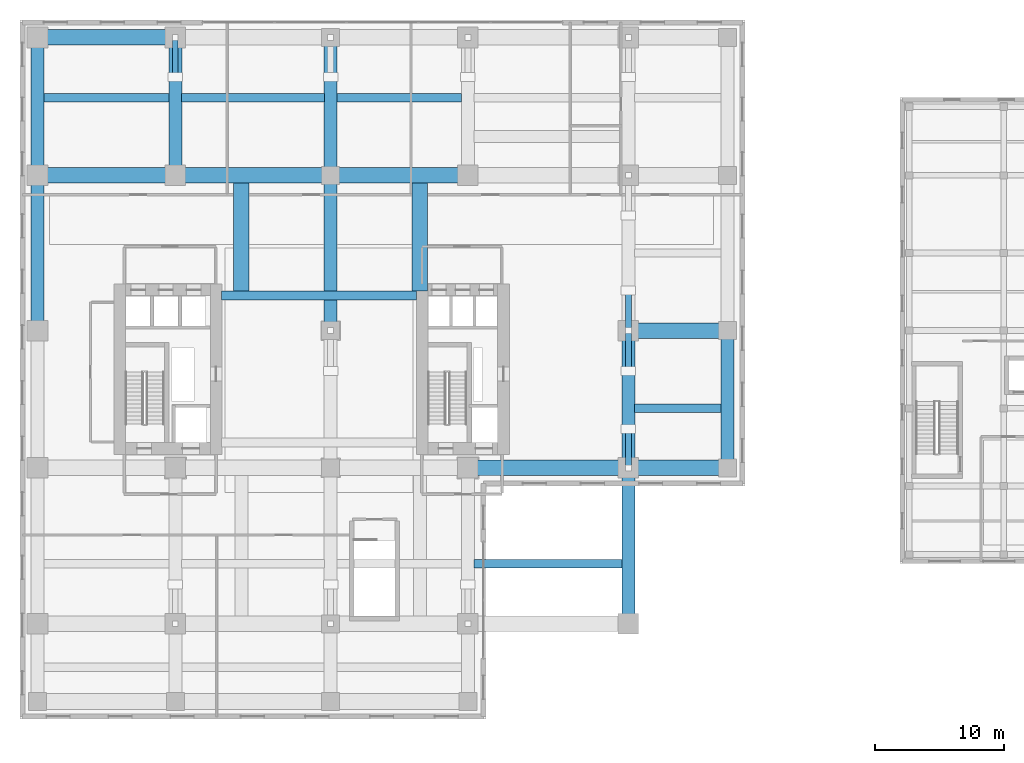
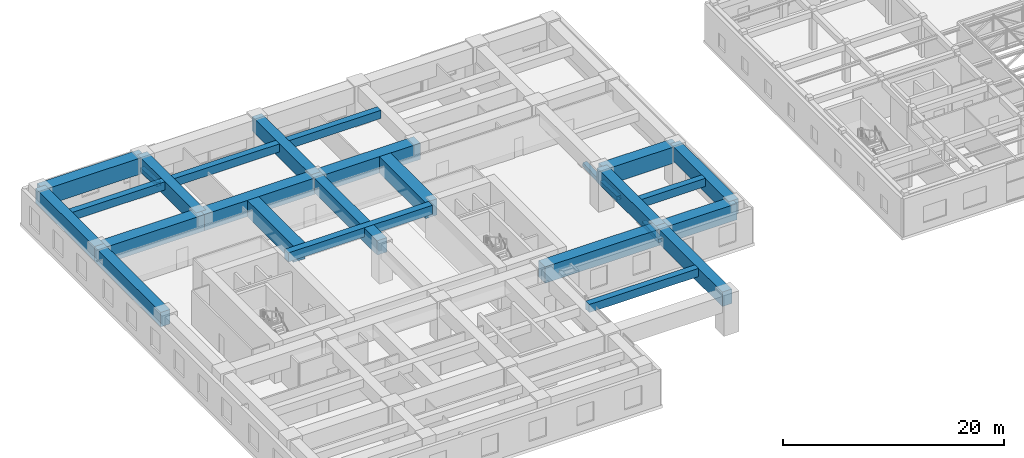
# One storey, part 4 of 33: 23 beams, 4 members.
"""IFC4 building model written with IfcOpenShell, lengths in metres."""

from ifc_helpers import new_model, si_unit, direction, frame, origin, origin_2d, place, context, subcontext, project, spatial, rectangle, hollow_rectangle, extrude, source, transform, mapped, material, material_profile, profile_set, type_object, element, save


model = new_model("IFC4")

# Units and contexts
model_context = context("Model", 3, precision=1e-05, world=origin(), true_north=direction((0.0, 1.0)))
body_context = subcontext(model_context, "Body", "Model", "MODEL_VIEW")
ifc_project = project(units=[si_unit("LENGTHUNIT", "METRE"), si_unit("AREAUNIT", "SQUARE_METRE"), si_unit("VOLUMEUNIT", "CUBIC_METRE"), si_unit("PLANEANGLEUNIT", "RADIAN"), si_unit("MASSUNIT", "GRAM", prefix="KILO")], contexts=[model_context])

# Site, building, storey
site_placement = place(None, origin())
site = spatial("IfcSite", under=ifc_project, at=site_placement, CompositionType="ELEMENT")
building_placement = place(site_placement, origin())
building = spatial("IfcBuilding", under=site, at=building_placement, Name="Khoralis Quay Care Tower", CompositionType="ELEMENT")
storey_placement = place(building_placement, frame((0.0, 0.0, 18.0)))
storey = spatial("IfcBuildingStorey", under=building, at=storey_placement, Name="L04", CompositionType="ELEMENT", Elevation=18.0)

# Beams
ifc_material_1 = material(Name="Concrete C80/95", Category="concrete")
ifc_material_profile_1 = material_profile(ifc_material_1, rectangle(XDim=0.699951171875, YDim=1.0, at=origin_2d()), Name="Concrete C80/95")
ifc_profile_set_1 = profile_set([ifc_material_profile_1], Name="Concrete C80/95")
beam_type_1 = type_object("IfcBeamType", Name="CB-RC700X1000", PredefinedType="LINTEL", material=ifc_profile_set_1)
shared_shape_1 = source(origin(), body_context, "Body", "SweptSolid", [
    extrude(rectangle(XDim=0.699951171875, YDim=1.0, at=origin_2d()), origin(), (0.0, 0.0, 1.0), 15.079833984375),
])
beam_1_placement = place(storey_placement, frame((15.570068359375, 26.699951171875, 3.820068359375), z_axis=(1.0, 0.0, 0.0), x_axis=(0.0, 1.0, 0.0)))
element("IfcBeam", 1, at=beam_1_placement, inside=storey, type_object=beam_type_1, Name="L04 North Core Coupling Lintel", PredefinedType="LINTEL", context=body_context, shape_type="MappedRepresentation", body=[
    mapped(shared_shape_1, transform((0.0, 0.0, 0.0), scale=1.0)),
])
ifc_material_profile_2 = material_profile(ifc_material_1, rectangle(XDim=1.199951171875, YDim=1.800048828125, at=origin_2d()), Name="Concrete C80/95")
ifc_profile_set_2 = profile_set([ifc_material_profile_2], Name="Concrete C80/95")
beam_type_2 = type_object("IfcBeamType", Name="TG-RC1200X1800", PredefinedType="BEAM", material=ifc_profile_set_2)
shared_shape_2 = source(origin(), body_context, "Body", "SweptSolid", [
    extrude(rectangle(XDim=1.199951171875, YDim=1.800048828125, at=origin_2d()), origin(), (0.0, 0.0, 1.0), 10.64990234375),
])
for number, where, z_axis, x_axis, name in (
    (2, (1.35009765625, 36.0, 3.419921875), (1.0, 0.0, 0.0), (0.0, 1.0, 0.0), "L04 Transfer girder BM-PODX-L04-14"),
    (3, (1.35009765625, 46.64990234375, 3.419921875), (1.0, 0.0, 0.0), (0.0, 1.0, 0.0), "L04 Transfer girder BM-PODX-L04-19"),
):
    element("IfcBeam", number, at=place(storey_placement, frame(where, z_axis=z_axis, x_axis=x_axis)), inside=storey, type_object=beam_type_2, Name=name, PredefinedType="BEAM", context=body_context, shape_type="MappedRepresentation", body=[
        mapped(shared_shape_2, transform((0.0, 0.0, 0.0), scale=1.0)),
    ])
shared_shape_3 = source(origin(), body_context, "Body", "SweptSolid", [
    extrude(rectangle(XDim=1.199951171875, YDim=1.800048828125, at=origin_2d()), origin(), (0.0, 0.0, 1.0), 12.0),
])
beam_2_placement = place(storey_placement, frame((12.0, 36.0, 3.419921875), z_axis=(1.0, 0.0, 0.0), x_axis=(0.0, 1.0, 0.0)))
element("IfcBeam", 4, at=beam_2_placement, inside=storey, type_object=beam_type_2, Name="L04 Transfer girder BM-PODX-L04-15", PredefinedType="BEAM", context=body_context, shape_type="MappedRepresentation", body=[
    mapped(shared_shape_3, transform((0.0, 0.0, 0.0), scale=1.0)),
])
shared_shape_4 = source(origin(), body_context, "Body", "SweptSolid", [
    extrude(rectangle(XDim=1.199951171875, YDim=1.800048828125, at=origin_2d()), origin(), (0.0, 0.0, 1.0), 10.60009765625),
])
beam_3_placement = place(storey_placement, frame((24.0, 36.0, 3.419921875), z_axis=(1.0, 0.0, 0.0), x_axis=(0.0, 1.0, 0.0)))
element("IfcBeam", 5, at=beam_3_placement, inside=storey, type_object=beam_type_2, Name="L04 Transfer girder BM-PODX-L04-16", PredefinedType="BEAM", context=body_context, shape_type="MappedRepresentation", body=[
    mapped(shared_shape_4, transform((0.0, 0.0, 0.0), scale=1.0)),
])
shared_shape_5 = source(origin(), body_context, "Body", "SweptSolid", [
    extrude(rectangle(XDim=1.199951171875, YDim=1.800048828125, at=origin_2d()), origin(), (0.0, 0.0, 1.0), 12.39990234375),
])
beam_4_placement = place(storey_placement, frame((34.60009765625, 13.39990234375, 3.419921875), z_axis=(1.0, 0.0, 0.0), x_axis=(0.0, 1.0, 0.0)))
element("IfcBeam", 6, at=beam_4_placement, inside=storey, type_object=beam_type_2, Name="L04 Transfer girder BM-PODX-L04-11", PredefinedType="BEAM", context=body_context, shape_type="MappedRepresentation", body=[
    mapped(shared_shape_5, transform((0.0, 0.0, 0.0), scale=1.0)),
])
shared_shape_6 = source(origin(), body_context, "Body", "SweptSolid", [
    extrude(rectangle(XDim=1.199951171875, YDim=1.800048828125, at=origin_2d()), origin(), (0.0, 0.0, 1.0), 7.64990234375),
])
for number, where, z_axis, x_axis, name in (
    (7, (47.0, 13.39990234375, 3.419921875), (1.0, 0.0, 0.0), (0.0, 1.0, 0.0), "L04 Transfer girder BM-PODX-L04-12"),
    (8, (47.0, 24.0, 3.419921875), (1.0, 0.0, 0.0), (0.0, 1.0, 0.0), "L04 Transfer girder BM-PODX-L04-13"),
):
    element("IfcBeam", number, at=place(storey_placement, frame(where, z_axis=z_axis, x_axis=x_axis)), inside=storey, type_object=beam_type_2, Name=name, PredefinedType="BEAM", context=body_context, shape_type="MappedRepresentation", body=[
        mapped(shared_shape_6, transform((0.0, 0.0, 0.0), scale=1.0)),
    ])
ifc_material_profile_3 = material_profile(ifc_material_1, rectangle(XDim=1.0, YDim=1.60009765625, at=origin_2d()), Name="Concrete C80/95")
ifc_profile_set_3 = profile_set([ifc_material_profile_3], Name="Concrete C80/95")
beam_type_3 = type_object("IfcBeamType", Name="TG-RC1000X1600", PredefinedType="BEAM", material=ifc_profile_set_3)
shared_shape_7 = source(origin(), body_context, "Body", "SweptSolid", [
    extrude(rectangle(XDim=1.0, YDim=1.60009765625, at=origin_2d()), origin(), (0.0, 0.0, 1.0), 12.0498046875),
])
beam_5_placement = place(storey_placement, frame((47.0, 1.35009765625, 3.52001953125), z_axis=(0.0, 1.0, 0.0), x_axis=(-1.0, 0.0, 0.0)))
element("IfcBeam", 9, at=beam_5_placement, inside=storey, type_object=beam_type_3, Name="L04 Transfer girder BM-PODY-L04-40", PredefinedType="BEAM", context=body_context, shape_type="MappedRepresentation", body=[
    mapped(shared_shape_7, transform((0.0, 0.0, 0.0), scale=1.0)),
])
shared_shape_8 = source(origin(), body_context, "Body", "SweptSolid", [
    extrude(rectangle(XDim=1.0, YDim=1.60009765625, at=origin_2d()), origin(), (0.0, 0.0, 1.0), 10.60009765625),
])
for number, where, z_axis, x_axis, name in (
    (10, (47.0, 13.39990234375, 3.52001953125), (0.0, 1.0, 0.0), (-1.0, 0.0, 0.0), "L04 Transfer girder BM-PODY-L04-41"),
    (11, (54.64990234375, 13.39990234375, 3.52001953125), (0.0, 1.0, 0.0), (-1.0, 0.0, 0.0), "L04 Transfer girder BM-PODY-L04-44"),
):
    element("IfcBeam", number, at=place(storey_placement, frame(where, z_axis=z_axis, x_axis=x_axis)), inside=storey, type_object=beam_type_3, Name=name, PredefinedType="BEAM", context=body_context, shape_type="MappedRepresentation", body=[
        mapped(shared_shape_8, transform((0.0, 0.0, 0.0), scale=1.0)),
    ])
shared_shape_9 = source(origin(), body_context, "Body", "SweptSolid", [
    extrude(rectangle(XDim=1.0, YDim=1.60009765625, at=origin_2d()), origin(), (0.0, 0.0, 1.0), 12.0),
])
for number, where, z_axis, x_axis, name in (
    (12, (1.35009765625, 24.0, 3.52001953125), (0.0, 1.0, 0.0), (-1.0, 0.0, 0.0), "L04 Transfer girder BM-PODY-L04-27"),
    (13, (24.0, 24.0, 3.52001953125), (0.0, 1.0, 0.0), (-1.0, 0.0, 0.0), "L04 Transfer girder BM-PODY-L04-35"),
):
    element("IfcBeam", number, at=place(storey_placement, frame(where, z_axis=z_axis, x_axis=x_axis)), inside=storey, type_object=beam_type_3, Name=name, PredefinedType="BEAM", context=body_context, shape_type="MappedRepresentation", body=[
        mapped(shared_shape_9, transform((0.0, 0.0, 0.0), scale=1.0)),
    ])
shared_shape_10 = source(origin(), body_context, "Body", "SweptSolid", [
    extrude(rectangle(XDim=1.0, YDim=1.60009765625, at=origin_2d()), origin(), (0.0, 0.0, 1.0), 10.64990234375),
])
for number, where, z_axis, x_axis, name in (
    (14, (1.35009765625, 36.0, 3.52001953125), (0.0, 1.0, 0.0), (-1.0, 0.0, 0.0), "L04 Transfer girder BM-PODY-L04-28"),
    (15, (12.0, 36.0, 3.52001953125), (0.0, 1.0, 0.0), (-1.0, 0.0, 0.0), "L04 Transfer girder BM-PODY-L04-31"),
    (16, (24.0, 36.0, 3.52001953125), (0.0, 1.0, 0.0), (-1.0, 0.0, 0.0), "L04 Transfer girder BM-PODY-L04-36"),
):
    element("IfcBeam", number, at=place(storey_placement, frame(where, z_axis=z_axis, x_axis=x_axis)), inside=storey, type_object=beam_type_3, Name=name, PredefinedType="BEAM", context=body_context, shape_type="MappedRepresentation", body=[
        mapped(shared_shape_10, transform((0.0, 0.0, 0.0), scale=1.0)),
    ])
ifc_material_2 = material(Name="Concrete C50/60", Category="concrete")
ifc_material_profile_4 = material_profile(ifc_material_2, rectangle(XDim=0.64990234375, YDim=0.89990234375, at=origin_2d()), Name="Concrete C50/60")
ifc_profile_set_4 = profile_set([ifc_material_profile_4], Name="Concrete C50/60")
beam_type_4 = type_object("IfcBeamType", Name="TB-RC650X900", PredefinedType="T_BEAM", material=ifc_profile_set_4)
shared_shape_11 = source(origin(), body_context, "Body", "SweptSolid", [
    extrude(rectangle(XDim=0.64990234375, YDim=0.89990234375, at=origin_2d()), origin(), (0.0, 0.0, 1.0), 9.674072265625),
])
beam_6_placement = place(storey_placement, frame((1.837890625, 42.0, 3.8701171875), z_axis=(1.0, 0.0, 0.0), x_axis=(0.0, 1.0, 0.0)))
element("IfcBeam", 17, at=beam_6_placement, inside=storey, type_object=beam_type_4, Name="BM-PODJ-L04-56", PredefinedType="T_BEAM", context=body_context, shape_type="MappedRepresentation", body=[
    mapped(shared_shape_11, transform((0.0, 0.0, 0.0), scale=1.0)),
])
shared_shape_12 = source(origin(), body_context, "Body", "SweptSolid", [
    extrude(rectangle(XDim=0.64990234375, YDim=0.89990234375, at=origin_2d()), origin(), (0.0, 0.0, 1.0), 11.02392578125),
])
beam_7_placement = place(storey_placement, frame((12.488037109375, 42.0, 3.8701171875), z_axis=(1.0, 0.0, 0.0), x_axis=(0.0, 1.0, 0.0)))
element("IfcBeam", 18, at=beam_7_placement, inside=storey, type_object=beam_type_4, Name="BM-PODJ-L04-57", PredefinedType="T_BEAM", context=body_context, shape_type="MappedRepresentation", body=[
    mapped(shared_shape_12, transform((0.0, 0.0, 0.0), scale=1.0)),
])
shared_shape_13 = source(origin(), body_context, "Body", "SweptSolid", [
    extrude(rectangle(XDim=0.64990234375, YDim=0.89990234375, at=origin_2d()), origin(), (0.0, 0.0, 1.0), 9.6240234375),
])
beam_8_placement = place(storey_placement, frame((24.488037109375, 42.0, 3.8701171875), z_axis=(1.0, 0.0, 0.0), x_axis=(0.0, 1.0, 0.0)))
element("IfcBeam", 19, at=beam_8_placement, inside=storey, type_object=beam_type_4, Name="BM-PODJ-L04-58", PredefinedType="T_BEAM", context=body_context, shape_type="MappedRepresentation", body=[
    mapped(shared_shape_13, transform((0.0, 0.0, 0.0), scale=1.0)),
])
shared_shape_14 = source(origin(), body_context, "Body", "SweptSolid", [
    extrude(rectangle(XDim=0.64990234375, YDim=0.89990234375, at=origin_2d()), origin(), (0.0, 0.0, 1.0), 11.424072265625),
])
beam_9_placement = place(storey_placement, frame((35.087890625, 6.0, 3.8701171875), z_axis=(1.0, 0.0, 0.0), x_axis=(0.0, 1.0, 0.0)))
element("IfcBeam", 20, at=beam_9_placement, inside=storey, type_object=beam_type_4, Name="BM-PODJ-L04-53", PredefinedType="T_BEAM", context=body_context, shape_type="MappedRepresentation", body=[
    mapped(shared_shape_14, transform((0.0, 0.0, 0.0), scale=1.0)),
])
shared_shape_15 = source(origin(), body_context, "Body", "SweptSolid", [
    extrude(rectangle(XDim=0.64990234375, YDim=0.89990234375, at=origin_2d()), origin(), (0.0, 0.0, 1.0), 6.674072265625),
])
beam_10_placement = place(storey_placement, frame((47.488037109375, 18.0, 3.8701171875), z_axis=(1.0, 0.0, 0.0), x_axis=(0.0, 1.0, 0.0)))
element("IfcBeam", 21, at=beam_10_placement, inside=storey, type_object=beam_type_4, Name="BM-PODJ-L04-54", PredefinedType="T_BEAM", context=body_context, shape_type="MappedRepresentation", body=[
    mapped(shared_shape_15, transform((0.0, 0.0, 0.0), scale=1.0)),
])
shared_shape_16 = source(origin(), body_context, "Body", "SweptSolid", [
    extrude(rectangle(XDim=1.199951171875, YDim=1.800048828125, at=origin_2d()), origin(), (0.0, 0.0, 1.0), 8.35400390625),
])
for number, where, z_axis, x_axis, name in (
    (22, (17.10009765625, 27.048095703125, 3.419921875), (0.0, 1.0, 0.0), (-1.0, 0.0, 0.0), "L04 Transfer Girder North-West Spine"),
    (23, (30.89990234375, 27.048095703125, 3.419921875), (0.0, 1.0, 0.0), (-1.0, 0.0, 0.0), "L04 Transfer Girder North-East Spine"),
):
    element("IfcBeam", number, at=place(storey_placement, frame(where, z_axis=z_axis, x_axis=x_axis)), inside=storey, type_object=beam_type_2, Name=name, PredefinedType="BEAM", context=body_context, shape_type="MappedRepresentation", body=[
        mapped(shared_shape_16, transform((0.0, 0.0, 0.0), scale=1.0)),
    ])

# Members
ifc_material_3 = material(Name="Steel S460", Category="steel")
ifc_material_profile_5 = material_profile(ifc_material_3, hollow_rectangle(XDim=0.449951171875, YDim=0.449951171875, WallThickness=0.02490234375, at=origin_2d()), Name="Steel S460")
ifc_profile_set_5 = profile_set([ifc_material_profile_5], Name="Steel S460")
member_type = type_object("IfcMemberType", Name="BR-RHS450X450X25", PredefinedType="BRACE", material=ifc_profile_set_5)
shared_shape_17 = source(origin(), body_context, "Body", "SweptSolid", [
    extrude(hollow_rectangle(XDim=0.449951171875, YDim=0.449951171875, WallThickness=0.02490234375, at=origin_2d()), origin(), (0.0, 0.0, 1.0), 3.054443359375),
])
member_1_placement = place(storey_placement, frame((12.0, 46.64990234375, 2.550048828125), z_axis=(0.0, -0.998451487005, 0.055629381601), x_axis=(1.0, 0.0, 0.0)))
element("IfcMember", 24, at=member_1_placement, inside=storey, type_object=member_type, Name="Podium Transfer Truss Brace 04", PredefinedType="BRACE", context=body_context, shape_type="MappedRepresentation", body=[
    mapped(shared_shape_17, transform((0.0, 0.0, 0.0), scale=1.0)),
])
shared_shape_18 = source(origin(), body_context, "Body", "SweptSolid", [
    extrude(hollow_rectangle(XDim=0.449951171875, YDim=0.449951171875, WallThickness=0.02490234375, at=origin_2d()), origin(), (0.0, 0.0, 1.0), 3.0048828125),
])
member_2_placement = place(storey_placement, frame((47.0, 13.39990234375, 2.550048828125), z_axis=(0.0, 0.99839976912, 0.056549986923), x_axis=(-1.0, 0.0, 0.0)))
element("IfcMember", 25, at=member_2_placement, inside=storey, type_object=member_type, Name="Podium Transfer Truss Brace 08", PredefinedType="BRACE", context=body_context, shape_type="MappedRepresentation", body=[
    mapped(shared_shape_18, transform((0.0, 0.0, 0.0), scale=1.0)),
])
shared_shape_19 = source(origin(), body_context, "Body", "SweptSolid", [
    extrude(hollow_rectangle(XDim=0.449951171875, YDim=0.449951171875, WallThickness=0.02490234375, at=origin_2d()), origin(), (0.0, 0.0, 1.0), 3.104736328125),
])
for number, where, z_axis, x_axis, name in (
    (26, (47.0, 24.0, 2.550048828125), (0.0, -0.998501210612, 0.054729630067), (1.0, 0.0, 0.0), "Podium Transfer Truss Brace 09"),
    (27, (47.0, 24.0, 2.550048828125), (0.0, 0.998501210612, 0.054729630067), (-1.0, 0.0, 0.0), "Podium Transfer Truss Brace 10"),
):
    element("IfcMember", number, at=place(storey_placement, frame(where, z_axis=z_axis, x_axis=x_axis)), inside=storey, type_object=member_type, Name=name, PredefinedType="BRACE", context=body_context, shape_type="MappedRepresentation", body=[
        mapped(shared_shape_19, transform((0.0, 0.0, 0.0), scale=1.0)),
    ])

save(model, "model.ifc")
